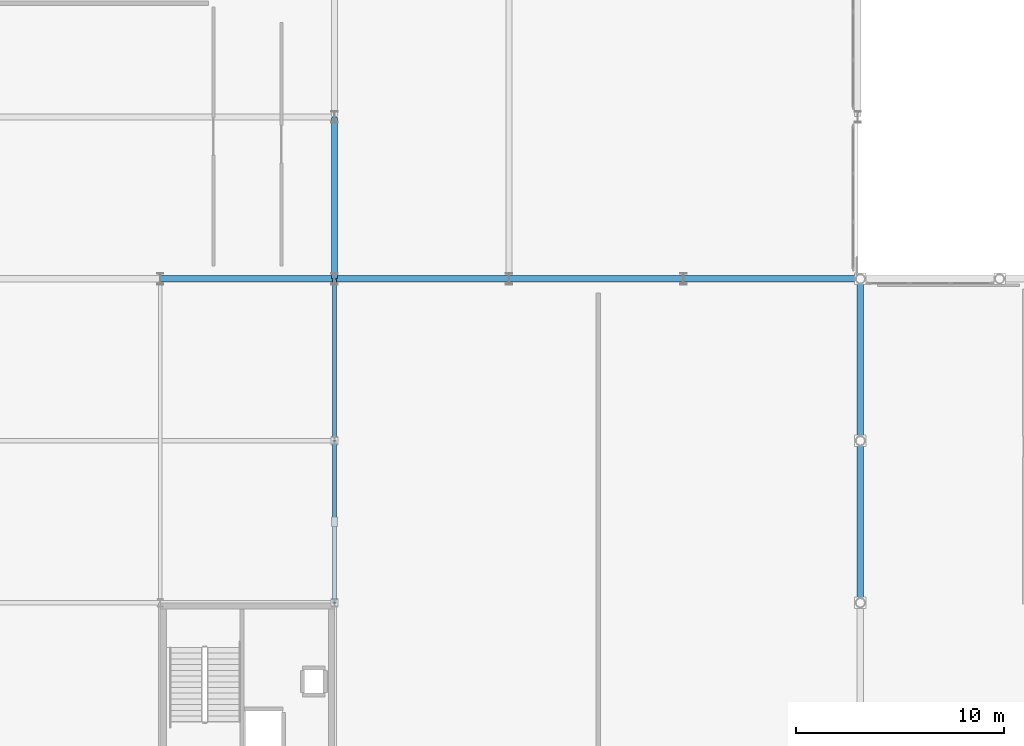
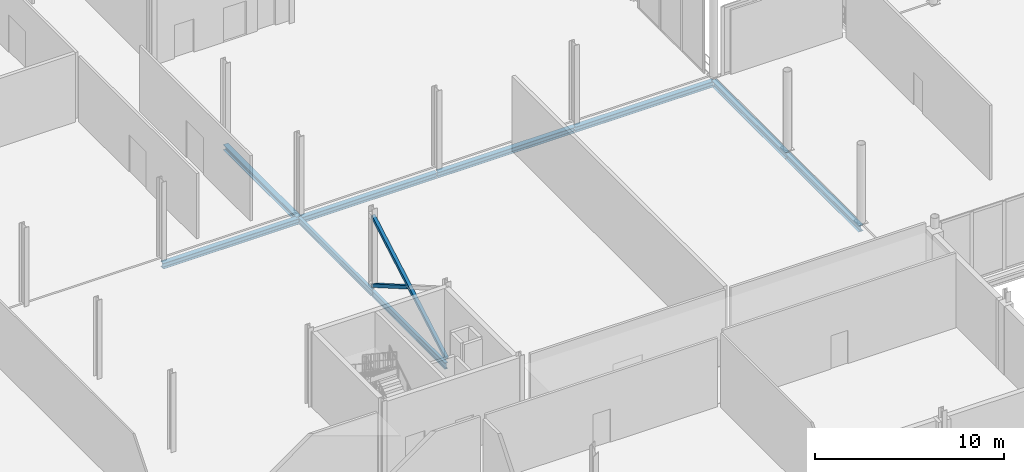
# One storey, part 31 of 105: 9 beams, 2 members.
"""IFC4 building model written with IfcOpenShell, lengths in metres."""

import ifcopenshell
import ifcopenshell.guid

model = None  # the IFC model being written
_history = None  # IfcOwnerHistory: only IFC2X3 demands one
_inside = {}  # id of a spatial element -> (the spatial element, [elements in it])
_under = {}  # id of a project, library or spatial element -> (it, [spatial elements below it])
_declared = {}  # id of a project -> (the project, [libraries it declares])
_typed = {}  # id of a type object -> (the type object, [elements of that type])
_made_of = {}  # id of a material, layer set ... -> (it, [elements and type objects made of it])


def new_model(schema):
    """Start an empty IFC model of exactly this schema.

    Asked for "IFC4X3", IfcOpenShell would pick the latest addendum, in which some entities
    have other attributes; the version numbers below select the first issue.
    IFC2X3 requires an IfcOwnerHistory on every rooted entity: one is made here for all.
    """
    global model, _history
    if schema == "IFC4X3":
        model = ifcopenshell.file(schema_version=(4, 3, 0, 0))
    else:
        model = ifcopenshell.file(schema=schema)
    _inside.clear()
    _under.clear()
    _declared.clear()
    _typed.clear()
    _made_of.clear()
    _history = None
    if model.schema == "IFC2X3":
        org = make("IfcOrganization", Name="unknown")
        user = make(
            "IfcPersonAndOrganization",
            ThePerson=make("IfcPerson", FamilyName="unknown"),
            TheOrganization=org,
        )
        app = make(
            "IfcApplication",
            ApplicationDeveloper=org,
            Version="unknown",
            ApplicationFullName="unknown",
            ApplicationIdentifier="unknown",
        )
        _history = make(
            "IfcOwnerHistory",
            OwningUser=user,
            OwningApplication=app,
            ChangeAction="ADDED",
            CreationDate=0,
        )
    return model


def make(cls, **values):
    """One entity of the class cls with the attributes given. An attribute that is None is left unset."""
    return model.create_entity(
        cls, **{name: value for name, value in values.items() if value is not None}
    )


def rooted(cls, **values):
    """An entity with a GlobalId (a new one), such as an element, a storey or a relation."""
    return make(cls, GlobalId=ifcopenshell.guid.new(), OwnerHistory=_history, **values)


def si_unit(unit_type, name, prefix=None):
    """IfcSIUnit, for example si_unit("LENGTHUNIT", "METRE", prefix="MILLI")."""
    return make("IfcSIUnit", UnitType=unit_type, Prefix=prefix, Name=name)


def assignment(units):
    """IfcUnitAssignment: the units of a project."""
    return None if units is None else make("IfcUnitAssignment", Units=units)


def point(xyz):
    """IfcCartesianPoint."""
    return None if xyz is None else make("IfcCartesianPoint", Coordinates=xyz)


def direction(xyz):
    """IfcDirection."""
    return None if xyz is None else make("IfcDirection", DirectionRatios=xyz)


def frame(location, z_axis=None, x_axis=None):
    """IfcAxis2Placement3D, a coordinate frame: its origin and axes. An axis left out is left unset."""
    return make(
        "IfcAxis2Placement3D",
        Location=point(location),
        Axis=direction(z_axis),
        RefDirection=direction(x_axis),
    )


def frame_2d(location, x_axis=None):
    """IfcAxis2Placement2D, a coordinate frame in the plane: its origin and x axis."""
    return make(
        "IfcAxis2Placement2D", Location=point(location), RefDirection=direction(x_axis)
    )


def origin():
    """The frame at (0, 0, 0) with its axes left unset."""
    return frame((0.0, 0.0, 0.0))


def origin_2d():
    """The frame at (0, 0) in the plane with its x axis left unset."""
    return frame_2d((0.0, 0.0))


def place(relative_to, where):
    """IfcLocalPlacement: puts the frame where relative to a parent placement (None: the world)."""
    return make(
        "IfcLocalPlacement", PlacementRelTo=relative_to, RelativePlacement=where
    )


def context(
    kind, dimensions, precision=None, world=None, true_north=None, identifier=None
):
    """IfcGeometricRepresentationContext, for example the 3D "Model" context."""
    return make(
        "IfcGeometricRepresentationContext",
        ContextIdentifier=identifier,
        ContextType=kind,
        CoordinateSpaceDimension=dimensions,
        Precision=precision,
        WorldCoordinateSystem=world,
        TrueNorth=true_north,
    )


def subcontext(parent, identifier, kind, view, scale=None):
    """IfcGeometricRepresentationSubContext, for example "Body" below "Model"."""
    return make(
        "IfcGeometricRepresentationSubContext",
        ContextIdentifier=identifier,
        ContextType=kind,
        ParentContext=parent,
        TargetScale=scale,
        TargetView=view,
    )


def project(units=None, contexts=None):
    """IfcProject with its units and contexts."""
    return rooted(
        "IfcProject",
        Name="project",
        RepresentationContexts=contexts,
        UnitsInContext=assignment(units),
    )


def spatial(cls, under=None, at=None, **own):
    """A site, building, storey or space (cls), placed at a placement, below another one or the project."""
    s = rooted(cls, ObjectPlacement=at, **own)
    if under is not None:
        _under.setdefault(under.id(), (under, []))[1].append(s)
    return s


def profile(cls, at=None, kind="AREA", **sizes):
    """A parametric profile (cls). Its sizes go by their IFC names, for example OverallWidth=200.0."""
    return make(cls, ProfileType=kind, Position=at, **sizes)


def hollow_rectangle(**sizes):
    """IfcRectangleHollowProfileDef."""
    return profile("IfcRectangleHollowProfileDef", **sizes)


def i_section(**sizes):
    """IfcIShapeProfileDef."""
    return profile("IfcIShapeProfileDef", **sizes)


def extrude(swept, where, along, depth):
    """IfcExtrudedAreaSolid: the profile swept, set in the frame where, extruded along a direction by depth."""
    return make(
        "IfcExtrudedAreaSolid",
        SweptArea=swept,
        Position=where,
        ExtrudedDirection=direction(along),
        Depth=depth,
    )


def shape(context_of_items, identifier, shape_type, items):
    """IfcShapeRepresentation: the items that make up one representation, for example the "Body"."""
    return make(
        "IfcShapeRepresentation",
        ContextOfItems=context_of_items,
        RepresentationIdentifier=identifier,
        RepresentationType=shape_type,
        Items=items,
    )


def material(Name=None, Category=None):
    """IfcMaterial."""
    return make("IfcMaterial", Name=Name, Category=Category)


def material_profile(
    of_material, cross_section, Name=None, Category=None, Priority=None
):
    """IfcMaterialProfile: a cross section and its material."""
    return make(
        "IfcMaterialProfile",
        Name=Name,
        Material=of_material,
        Profile=cross_section,
        Priority=Priority,
        Category=Category,
    )


def profile_set(profiles, Name=None, composite=None):
    """IfcMaterialProfileSet."""
    return make(
        "IfcMaterialProfileSet",
        Name=Name,
        MaterialProfiles=profiles,
        CompositeProfile=composite,
    )


def made_of(thing, what):
    """Note that an element or type object is made of a material, layer set ...; save() writes the relation."""
    if what is not None:
        _made_of.setdefault(what.id(), (what, []))[1].append(thing)
    return thing


def type_object(cls, material=None, **own):
    """A type object (cls), such as IfcWallType, which elements share."""
    return made_of(rooted(cls, **own), material)


def element(
    cls,
    number,
    at=None,
    inside=None,
    cuts=None,
    type_object=None,
    material=None,
    context=None,
    identifier="Body",
    shape_type=None,
    held_by="IfcProductDefinitionShape",
    body=None,
    shapes=None,
    **own,
):
    """One element of the class cls, such as IfcWall. Its Tag is "e" and its number.

    at: its placement. inside: the storey or other place that contains it. cuts: it is an
    opening in that element (IfcRelVoidsElement). A single representation is given by context,
    identifier, shape_type and body (its items); several are given by shapes. held_by: the class
    of the entity that holds the representations. save() writes the other relations.
    """
    e = rooted(cls, Tag="e%d" % number, ObjectPlacement=at, **own)
    if body is not None:
        shapes = [shape(context, identifier, shape_type, body)]
    if shapes is not None:
        e.Representation = make(held_by, Representations=shapes)
    if inside is not None:
        _inside.setdefault(inside.id(), (inside, []))[1].append(e)
    if cuts is not None:
        rooted(
            "IfcRelVoidsElement", RelatingBuildingElement=cuts, RelatedOpeningElement=e
        )
    if type_object is not None:
        _typed.setdefault(type_object.id(), (type_object, []))[1].append(e)
    return made_of(e, material)


def aggregate(whole, parts):
    """IfcRelAggregates: a whole, such as a stair, and the parts it consists of."""
    return rooted("IfcRelAggregates", RelatingObject=whole, RelatedObjects=parts)


def save(model, path):
    """Write the relations noted so far, then the file.

    IfcRelAggregates (storeys below a building ...), IfcRelContainedInSpatialStructure (elements
    in a storey), IfcRelDefinesByType, IfcRelAssociatesMaterial and IfcRelDeclares: one each for
    every whole, place, type object, material and project.
    """
    for whole, parts in _under.values():
        aggregate(whole, parts)
    for where, things in _inside.values():
        rooted(
            "IfcRelContainedInSpatialStructure",
            RelatedElements=things,
            RelatingStructure=where,
        )
    for kind, things in _typed.values():
        rooted("IfcRelDefinesByType", RelatedObjects=things, RelatingType=kind)
    for what, things in _made_of.values():
        rooted("IfcRelAssociatesMaterial", RelatedObjects=things, RelatingMaterial=what)
    for by, libraries in _declared.values():
        rooted("IfcRelDeclares", RelatingContext=by, RelatedDefinitions=libraries)
    model.write(path)


model = new_model("IFC4")

# Units and contexts
model_context = context("Model", 3, precision=1e-05, world=origin(), true_north=direction((0.0, 1.0)))
body_context = subcontext(model_context, "Body", "Model", "MODEL_VIEW")
ifc_project = project(units=[si_unit("LENGTHUNIT", "METRE"), si_unit("AREAUNIT", "SQUARE_METRE"), si_unit("VOLUMEUNIT", "CUBIC_METRE"), si_unit("PLANEANGLEUNIT", "RADIAN"), si_unit("MASSUNIT", "GRAM", prefix="KILO")], contexts=[model_context])

# Site, building, storey
site_placement = place(None, origin())
site = spatial("IfcSite", under=ifc_project, at=site_placement, CompositionType="ELEMENT")
building_placement = place(site_placement, origin())
building = spatial("IfcBuilding", under=site, at=building_placement, Name="Nabrawat Pavilion Hospital", CompositionType="ELEMENT")
storey_placement = place(building_placement, frame((0.0, 0.0, 5.10009765625)))
storey = spatial("IfcBuildingStorey", under=building, at=storey_placement, Name="L01", CompositionType="ELEMENT", Elevation=5.10009765625)

# Members
ifc_material = material(Name="Steel S355", Category="steel")
ifc_material_profile_1 = material_profile(ifc_material, hollow_rectangle(XDim=0.199951171875, YDim=0.199951171875, WallThickness=0.012451171875, at=origin_2d()), Name="SHS 200x200x12.5")
ifc_profile_set_1 = profile_set([ifc_material_profile_1], Name="Steel S355")
member_type = type_object("IfcMemberType", Name="Mid Seismic Chevron Brace SHS 200x200x12.5", PredefinedType="BRACE", material=ifc_profile_set_1)
member_1_placement = place(storey_placement, frame((33.60009765625, 23.39990234375, 0.0498046875), z_axis=(0.0, 0.866186940118, 0.499720106428), x_axis=(-1.0, 0.0, 0.0)))
element("IfcMember", 1, at=member_1_placement, inside=storey, type_object=member_type, Name="L01 Seismic Continuous X-Brace Diagonal 007", PredefinedType="BRACE", context=body_context, shape_type="SweptSolid", body=[
    extrude(hollow_rectangle(XDim=0.199951171875, YDim=0.199951171875, WallThickness=0.012451171875, at=origin_2d()), origin(), (0.0, 0.0, 1.0), 9.005126953125),
])
member_2_placement = place(storey_placement, frame((33.60009765625, 27.42138671875, 2.22998046875), z_axis=(0.0, 0.866162292454, -0.49976282688), x_axis=(-1.0, 0.0, 0.0)))
element("IfcMember", 2, at=member_2_placement, inside=storey, type_object=member_type, Name="L01 Seismic Split X-Brace Lower Segment 009", PredefinedType="BRACE", context=body_context, shape_type="SweptSolid", body=[
    extrude(hollow_rectangle(XDim=0.199951171875, YDim=0.199951171875, WallThickness=0.012451171875, at=origin_2d()), origin(), (0.0, 0.0, 1.0), 4.3623046875),
])

# Beams
ifc_material_profile_2 = material_profile(ifc_material, i_section(OverallWidth=0.300048828125, OverallDepth=0.389892578125, WebThickness=0.010986328125, FlangeThickness=0.01904296875, FilletRadius=0.027099609375, at=origin_2d()), Name="HEA 400")
ifc_profile_set_2 = profile_set([ifc_material_profile_2], Name="Steel S355")
beam_type_1 = type_object("IfcBeamType", Name="Perimeter Moment Spandrel Beam HEA 400", PredefinedType="SPANDREL", material=ifc_profile_set_2)
for number, where, z_axis, x_axis, name in (
    (3, (58.919921875, 23.419921875, -0.445068359375), (0.0, 1.0, 0.0), (-1.0, 0.0, 0.0), "L01 Primary Y Beam 758"),
    (4, (58.919921875, 31.219970703125, -0.445068359375), (0.0, 1.0, 0.0), (-1.0, 0.0, 0.0), "L01 Primary Y Beam 759"),
):
    element("IfcBeam", number, at=place(storey_placement, frame(where, z_axis=z_axis, x_axis=x_axis)), inside=storey, type_object=beam_type_1, Name=name, PredefinedType="SPANDREL", context=body_context, shape_type="SweptSolid", body=[
        extrude(i_section(OverallWidth=0.300048828125, OverallDepth=0.389892578125, WebThickness=0.010986328125, FlangeThickness=0.01904296875, FilletRadius=0.027099609375, at=origin_2d()), origin(), (0.0, 0.0, 1.0), 7.760009765625),
    ])
ifc_material_profile_3 = material_profile(ifc_material, i_section(OverallWidth=0.179931640625, OverallDepth=0.39990234375, WebThickness=0.008544921875, FlangeThickness=0.013427734375, FilletRadius=0.02099609375, at=origin_2d()), Name="IPE 400")
ifc_profile_set_3 = profile_set([ifc_material_profile_3], Name="Steel S355")
beam_type_2 = type_object("IfcBeamType", Name="Standard Y Floor Beam IPE 400", PredefinedType="BEAM", material=ifc_profile_set_3)
for number, where, z_axis, x_axis, name in (
    (5, (33.60009765625, 23.419921875, -0.4501953125), (0.0, 1.0, 0.0), (-1.0, 0.0, 0.0), "L01 Primary Y Beam 733"),
    (6, (33.60009765625, 31.219970703125, -0.4501953125), (0.0, 1.0, 0.0), (-1.0, 0.0, 0.0), "L01 Primary Y Beam 734"),
):
    element("IfcBeam", number, at=place(storey_placement, frame(where, z_axis=z_axis, x_axis=x_axis)), inside=storey, type_object=beam_type_2, Name=name, PredefinedType="BEAM", context=body_context, shape_type="SweptSolid", body=[
        extrude(i_section(OverallWidth=0.179931640625, OverallDepth=0.39990234375, WebThickness=0.008544921875, FlangeThickness=0.013427734375, FilletRadius=0.02099609375, at=origin_2d()), origin(), (0.0, 0.0, 1.0), 7.760009765625),
    ])
ifc_material_profile_4 = material_profile(ifc_material, i_section(OverallWidth=0.300048828125, OverallDepth=0.360107421875, WebThickness=0.012451171875, FlangeThickness=0.0224609375, FilletRadius=0.027099609375, at=origin_2d()), Name="HEB 360")
ifc_profile_set_4 = profile_set([ifc_material_profile_4], Name="Steel S355")
beam_type_3 = type_object("IfcBeamType", Name="Surgical Perimeter Spandrel HEB 360", PredefinedType="SPANDREL", material=ifc_profile_set_4)
beam_1_placement = place(storey_placement, frame((25.219970703125, 39.0, -0.4501953125), z_axis=(1.0, 0.0, 0.0), x_axis=(0.0, 1.0, 0.0)))
element("IfcBeam", 7, at=beam_1_placement, inside=storey, type_object=beam_type_3, Name="L01 Primary X Girder 514", PredefinedType="SPANDREL", context=body_context, shape_type="SweptSolid", body=[
    extrude(i_section(OverallWidth=0.300048828125, OverallDepth=0.360107421875, WebThickness=0.012451171875, FlangeThickness=0.0224609375, FilletRadius=0.027099609375, at=origin_2d()), origin(), (0.0, 0.0, 1.0), 8.360107421875),
])
for number, where, z_axis, x_axis, name in (
    (8, (33.6201171875, 39.0, -0.4501953125), (1.0, 0.0, 0.0), (0.0, 1.0, 0.0), "L01 Primary X Girder 515"),
    (9, (42.02001953125, 39.0, -0.4501953125), (1.0, 0.0, 0.0), (0.0, 1.0, 0.0), "L01 Primary X Girder 516"),
):
    element("IfcBeam", number, at=place(storey_placement, frame(where, z_axis=z_axis, x_axis=x_axis)), inside=storey, type_object=beam_type_3, Name=name, PredefinedType="SPANDREL", context=body_context, shape_type="SweptSolid", body=[
        extrude(i_section(OverallWidth=0.300048828125, OverallDepth=0.360107421875, WebThickness=0.012451171875, FlangeThickness=0.0224609375, FilletRadius=0.027099609375, at=origin_2d()), origin(), (0.0, 0.0, 1.0), 8.35986328125),
    ])
beam_2_placement = place(storey_placement, frame((50.419921875, 39.0, -0.4501953125), z_axis=(1.0, 0.0, 0.0), x_axis=(0.0, 1.0, 0.0)))
element("IfcBeam", 10, at=beam_2_placement, inside=storey, type_object=beam_type_3, Name="L01 Primary X Girder 517", PredefinedType="SPANDREL", context=body_context, shape_type="SweptSolid", body=[
    extrude(i_section(OverallWidth=0.300048828125, OverallDepth=0.360107421875, WebThickness=0.012451171875, FlangeThickness=0.0224609375, FilletRadius=0.027099609375, at=origin_2d()), origin(), (0.0, 0.0, 1.0), 8.47998046875),
])
ifc_material_profile_5 = material_profile(ifc_material, i_section(OverallWidth=0.300048828125, OverallDepth=0.35009765625, WebThickness=0.009521484375, FlangeThickness=0.017578125, FilletRadius=0.027099609375, at=origin_2d()), Name="HEA 360")
ifc_profile_set_5 = profile_set([ifc_material_profile_5], Name="Steel S355")
beam_type_4 = type_object("IfcBeamType", Name="Surgical Stiffened Beam HEA 360", PredefinedType="BEAM", material=ifc_profile_set_5)
beam_3_placement = place(storey_placement, frame((33.60009765625, 39.02001953125, -0.445068359375), z_axis=(0.0, 1.0, 0.0), x_axis=(-1.0, 0.0, 0.0)))
element("IfcBeam", 11, at=beam_3_placement, inside=storey, type_object=beam_type_4, Name="L01 Primary Y Beam 735", PredefinedType="BEAM", context=body_context, shape_type="SweptSolid", body=[
    extrude(i_section(OverallWidth=0.300048828125, OverallDepth=0.35009765625, WebThickness=0.009521484375, FlangeThickness=0.017578125, FilletRadius=0.027099609375, at=origin_2d()), origin(), (0.0, 0.0, 1.0), 7.760009765625),
])

save(model, "model.ifc")
